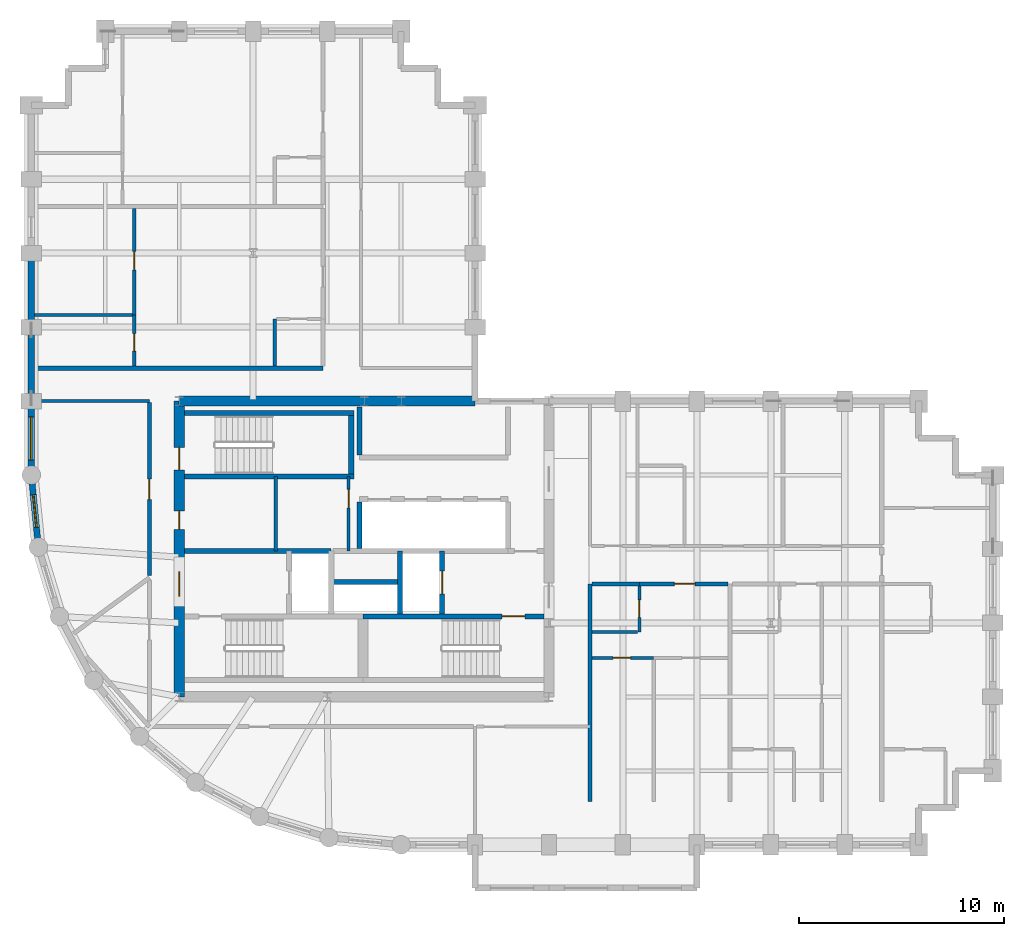
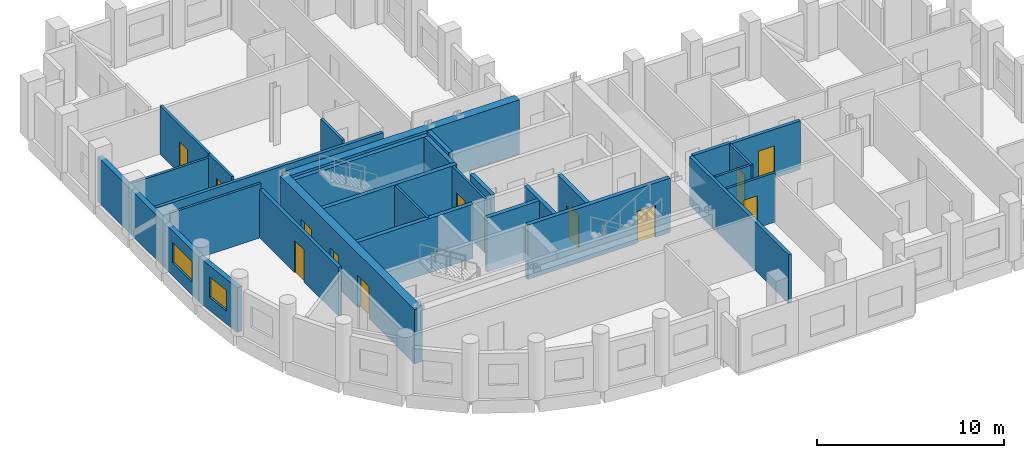
# One storey, part 4 of 9: 31 walls, 12 doors, 2 windows, 14 openings.
"""IFC4 building model written with IfcOpenShell, lengths in metres."""

from ifc_helpers import new_model, si_unit, direction, frame, frame_2d, origin, place, context, subcontext, project, spatial, rectangle, extrude, material, layer, layer_set, type_object, element, fill, save


model = new_model("IFC4")

# Units and contexts
model_context = context("Model", 3, precision=1e-05, world=origin(), true_north=direction((0.0, 1.0)))
body_context = subcontext(model_context, "Body", "Model", "MODEL_VIEW")
ifc_project = project(units=[si_unit("LENGTHUNIT", "METRE"), si_unit("AREAUNIT", "SQUARE_METRE"), si_unit("VOLUMEUNIT", "CUBIC_METRE"), si_unit("PLANEANGLEUNIT", "RADIAN"), si_unit("MASSUNIT", "GRAM", prefix="KILO")], contexts=[model_context])

# Site, building, storey
site_placement = place(None, origin())
site = spatial("IfcSite", under=ifc_project, at=site_placement, CompositionType="ELEMENT")
building_placement = place(site_placement, origin())
building = spatial("IfcBuilding", under=site, at=building_placement, Name="Solnavia Interchange Tower", CompositionType="ELEMENT")
storey_placement = place(building_placement, frame((0.0, 0.0, 139.0)))
storey = spatial("IfcBuildingStorey", under=building, at=storey_placement, Name="L34", CompositionType="ELEMENT", Elevation=139.0)

# Wall, opening, door
ifc_material_1 = material(Name="Gypsum Acoustic Twin-Stud & Mineral Wool", Category="gypsum")
ifc_layer_1 = layer(ifc_material_1, 0.199951171875)
ifc_layer_set_1 = layer_set([ifc_layer_1], Name="Gypsum Acoustic Twin-Stud & Mineral Wool")
wall_type_1 = type_object("IfcWallType", Name="Wall-ApartmentParty-200", PredefinedType="PARTITIONING", material=ifc_layer_set_1)
wall_1_placement = place(storey_placement, frame((12.949951171875, 16.7041015625, 0.0), z_axis=(0.0, 0.0, 1.0), x_axis=(0.0, 1.0, 0.0)))
wall_1 = element("IfcWall", 1, at=wall_1_placement, inside=storey, type_object=wall_type_1, Name="PTW-L34-11 Interior partition wall", PredefinedType="PARTITIONING", context=body_context, shape_type="SweptSolid", body=[
    extrude(rectangle(XDim=8.4169921875, YDim=0.199951171875, at=frame_2d((4.20849609375, 0.0))), origin(), (0.0, 0.0, 1.0), 3.179931640625),
])
opening_1_placement = place(wall_1_placement, frame((3.696044921875, 0.0, 0.0)))
opening_1 = element("IfcOpeningElement", 2, at=opening_1_placement, cuts=wall_1, Name="Opening DR-07", PredefinedType="OPENING", context=body_context, shape_type="SweptSolid", body=[
    extrude(rectangle(XDim=1.0, YDim=2.10009765625, at=frame_2d((0.5, 1.050048828125))), frame((0.0, 0.10986328125, 0.0), z_axis=(0.0, -1.0, 0.0), x_axis=(1.0, 0.0, 0.0)), (0.0, 0.0, 1.0), 0.219970703125),
])
ifc_material_2 = material(Name="Timber & Acoustic Glazed Office Door", Category="wood")
door_type_1 = type_object("IfcDoorType", Name="Door-Office-1000x2100", OperationType="SINGLE_SWING_RIGHT", PredefinedType="DOOR", material=ifc_material_2)
door_1_placement = place(opening_1_placement, origin())
door_1 = element("IfcDoor", 3, at=door_1_placement, inside=storey, type_object=door_type_1, Name="DR-L34-03 Interior room door", OperationType="SINGLE_SWING_LEFT", OverallHeight=2.10009765625, OverallWidth=1.0, PredefinedType="DOOR", context=body_context, shape_type="SweptSolid", body=[
    extrude(rectangle(XDim=1.0, YDim=2.10009765625, at=frame_2d((0.5, 1.050048828125))), frame((0.0, 0.02490234375, 0.0), z_axis=(0.0, -1.0, 0.0), x_axis=(1.0, 0.0, 0.0)), (0.0, 0.0, 1.0), 0.050048828125),
])
fill(opening_1, door_1)

# Walls
wall_2_placement = place(storey_placement, frame((34.39990234375, 5.699951171875, 0.0), z_axis=(0.0, 0.0, 1.0), x_axis=(0.0, 1.0, 0.0)))
element("IfcWall", 4, at=wall_2_placement, inside=storey, type_object=wall_type_1, Name="PTW-L34-15 Interior partition wall", PredefinedType="PARTITIONING", context=body_context, shape_type="SweptSolid", body=[
    extrude(rectangle(XDim=10.60009765625, YDim=0.199951171875, at=frame_2d((5.300048828125, 0.0))), origin(), (0.0, 0.0, 1.0), 3.169921875),
])
wall_3_placement = place(storey_placement, frame((34.50390625, 16.300048828125, 0.0), z_axis=(0.0, 0.0, 1.0), x_axis=(1.0, 0.0, 0.0)))
element("IfcWall", 5, at=wall_3_placement, inside=storey, type_object=wall_type_1, Name="PTW-L34-17 Interior partition wall", PredefinedType="PARTITIONING", context=body_context, shape_type="SweptSolid", body=[
    extrude(rectangle(XDim=2.296142578125, YDim=0.199951171875, at=frame_2d((1.14794921875, 0.0))), origin(), (0.0, 0.0, 1.0), 3.219970703125),
])

# Wall, opening, door
wall_4_placement = place(storey_placement, frame((36.800048828125, 16.300048828125, 0.0), z_axis=(0.0, 0.0, 1.0), x_axis=(1.0, 0.0, 0.0)))
wall_4 = element("IfcWall", 6, at=wall_4_placement, inside=storey, type_object=wall_type_1, Name="PTW-L34-20 Interior partition wall", PredefinedType="PARTITIONING", context=body_context, shape_type="SweptSolid", body=[
    extrude(rectangle(XDim=4.31591796875, YDim=0.199951171875, at=frame_2d((2.157958984375, 0.0))), origin(), (0.0, 0.0, 1.0), 3.169921875),
])
opening_2_placement = place(wall_4_placement, frame((1.7099609375, 0.0, 0.0)))
opening_2 = element("IfcOpeningElement", 7, at=opening_2_placement, cuts=wall_4, Name="Opening DR-06", PredefinedType="OPENING", context=body_context, shape_type="SweptSolid", body=[
    extrude(rectangle(XDim=1.0, YDim=2.10009765625, at=frame_2d((0.5, 1.050048828125))), frame((0.0, 0.10986328125, 0.0), z_axis=(0.0, -1.0, 0.0), x_axis=(1.0, 0.0, 0.0)), (0.0, 0.0, 1.0), 0.219970703125),
])
ifc_material_3 = material(Name="Engineered Timber Acoustic Fire Door", Category="wood")
door_type_2 = type_object("IfcDoorType", Name="Door-FlatEntry-1000x2100", OperationType="SINGLE_SWING_LEFT", PredefinedType="DOOR", material=ifc_material_3)
door_2_placement = place(opening_2_placement, origin())
door_2 = element("IfcDoor", 8, at=door_2_placement, inside=storey, type_object=door_type_2, Name="DR-L34-08 Interior room door", OperationType="SINGLE_SWING_LEFT", OverallHeight=2.10009765625, OverallWidth=1.0, PredefinedType="DOOR", context=body_context, shape_type="SweptSolid", body=[
    extrude(rectangle(XDim=1.0, YDim=2.10009765625, at=frame_2d((0.5, 1.050048828125))), frame((0.0, 0.02490234375, 0.0), z_axis=(0.0, -1.0, 0.0), x_axis=(1.0, 0.0, 0.0)), (0.0, 0.0, 1.0), 0.050048828125),
])
fill(opening_2, door_2)

# Walls
wall_5_placement = place(storey_placement, frame((7.35400390625, 26.800048828125, 0.0), z_axis=(0.0, 0.0, 1.0), x_axis=(1.0, 0.0, 0.0)))
element("IfcWall", 9, at=wall_5_placement, inside=storey, type_object=wall_type_1, Name="PTW-L34-44 Interior partition wall", PredefinedType="PARTITIONING", context=body_context, shape_type="SweptSolid", body=[
    extrude(rectangle(XDim=14.0458984375, YDim=0.199951171875, at=frame_2d((7.02294921875, 0.0))), origin(), (0.0, 0.0, 1.0), 2.929931640625),
])
ifc_material_4 = material(Name="Concrete C40/50", Category="concrete")
ifc_layer_2 = layer(ifc_material_4, 0.300048828125)
ifc_layer_set_2 = layer_set([ifc_layer_2], Name="Concrete C40/50")
wall_type_2 = type_object("IfcWallType", Name="Wall-ExtSpandrel-300", PredefinedType="STANDARD", material=ifc_layer_set_2)
wall_6_placement = place(storey_placement, frame((7.199951171875, 28.800048828125, 0.0), z_axis=(0.0, 0.0, 1.0), x_axis=(0.0, 1.0, 0.0)))
element("IfcWall", 10, at=wall_6_placement, inside=storey, type_object=wall_type_2, Name="EXW-L34-46 Exterior precast spandrel wall", PredefinedType="STANDARD", context=body_context, shape_type="SweptSolid", body=[
    extrude(rectangle(XDim=3.599853515625, YDim=0.300048828125, at=frame_2d((1.7998046875, 0.0))), origin(), (0.0, 0.0, 1.0), 2.929931640625),
])
wall_7_placement = place(storey_placement, frame((7.199951171875, 25.199951171875, 0.0), z_axis=(0.0, 0.0, 1.0), x_axis=(0.0, 1.0, 0.0)))
element("IfcWall", 11, at=wall_7_placement, inside=storey, type_object=wall_type_2, Name="EXW-L34-47 Exterior precast spandrel wall", PredefinedType="STANDARD", context=body_context, shape_type="SweptSolid", body=[
    extrude(rectangle(XDim=3.60009765625, YDim=0.300048828125, at=frame_2d((1.800048828125, 0.0))), origin(), (0.0, 0.0, 1.0), 2.929931640625),
])

# Wall, opening, window
wall_8_placement = place(storey_placement, frame((7.199951171875, 21.60009765625, 0.0), z_axis=(0.0, 0.0, 1.0), x_axis=(0.0, 1.0, 0.0)))
wall_8 = element("IfcWall", 12, at=wall_8_placement, inside=storey, type_object=wall_type_2, Name="EXW-L34-48 Exterior precast spandrel wall", PredefinedType="STANDARD", context=body_context, shape_type="SweptSolid", body=[
    extrude(rectangle(XDim=3.599853515625, YDim=0.300048828125, at=frame_2d((1.7998046875, 0.0))), origin(), (0.0, 0.0, 1.0), 2.929931640625),
])
opening_3_placement = place(wall_8_placement, frame((0.72509765625, 0.0, 0.85009765625)))
opening_3 = element("IfcOpeningElement", 13, at=opening_3_placement, cuts=wall_8, Name="Opening WIN-01", PredefinedType="OPENING", context=body_context, shape_type="SweptSolid", body=[
    extrude(rectangle(XDim=2.10009765625, YDim=1.35009765625, at=frame_2d((1.050048828125, 0.675048828125))), frame((0.0, 0.16015625, 0.0), z_axis=(0.0, -1.0, 0.0), x_axis=(1.0, 0.0, 0.0)), (0.0, 0.0, 1.0), 0.320068359375),
])
ifc_material_5 = material(Name="Thermal-Break Aluminium & Low-E Glass", Category="aluminium")
window_type_1 = type_object("IfcWindowType", Name="Window-Ribbon-2100x1350", PartitioningType="SINGLE_PANEL", PredefinedType="WINDOW", material=ifc_material_5)
window_1_placement = place(opening_3_placement, origin())
window_1 = element("IfcWindow", 14, at=window_1_placement, inside=storey, type_object=window_type_1, Name="WIN-L34-48 Facade ribbon window", OverallHeight=1.35009765625, OverallWidth=2.10009765625, PartitioningType="SINGLE_PANEL", PredefinedType="WINDOW", context=body_context, shape_type="SweptSolid", body=[
    extrude(rectangle(XDim=2.10009765625, YDim=1.35009765625, at=frame_2d((1.050048828125, 0.675048828125))), frame((0.0, 0.030029296875, 0.0), z_axis=(0.0, -1.0, 0.0), x_axis=(1.0, 0.0, 0.0)), (0.0, 0.0, 1.0), 0.06005859375),
])
fill(opening_3, window_1)

wall_9_placement = place(storey_placement, frame((7.5458984375, 18.087890625, 0.0), z_axis=(0.0, 0.0, 1.0), x_axis=(-0.09802417461, 0.995184033831, 0.0)))
wall_9 = element("IfcWall", 15, at=wall_9_placement, inside=storey, type_object=wall_type_2, Name="EXW-L34-49 Exterior precast spandrel wall", PredefinedType="STANDARD", context=body_context, shape_type="SweptSolid", body=[
    extrude(rectangle(XDim=3.529296875, YDim=0.300048828125, at=frame_2d((1.7646484375, 0.0))), origin(), (0.0, 0.0, 1.0), 2.929931640625),
])
opening_4_placement = place(wall_9_placement, frame((0.965087890625, 0.0, 0.85009765625)))
opening_4 = element("IfcOpeningElement", 16, at=opening_4_placement, cuts=wall_9, Name="Opening WIN-04", PredefinedType="OPENING", context=body_context, shape_type="SweptSolid", body=[
    extrude(rectangle(XDim=1.60009765625, YDim=1.35009765625, at=frame_2d((0.800048828125, 0.675048828125))), frame((0.0, 0.16015625, 0.0), z_axis=(0.0, -1.0, 0.0), x_axis=(1.0, 0.0, 0.0)), (0.0, 0.0, 1.0), 0.320068359375),
])
window_type_2 = type_object("IfcWindowType", Name="Window-Drum-1600x1350", PartitioningType="SINGLE_PANEL", PredefinedType="WINDOW", material=ifc_material_5)
window_2_placement = place(opening_4_placement, origin())
window_2 = element("IfcWindow", 17, at=window_2_placement, inside=storey, type_object=window_type_2, Name="WIN-L34-49 Facade ribbon window", OverallHeight=1.35009765625, OverallWidth=1.60009765625, PartitioningType="SINGLE_PANEL", PredefinedType="WINDOW", context=body_context, shape_type="SweptSolid", body=[
    extrude(rectangle(XDim=1.60009765625, YDim=1.35009765625, at=frame_2d((0.800048828125, 0.675048828125))), frame((0.0, 0.030029296875, 0.0), z_axis=(0.0, -1.0, 0.0), x_axis=(1.0, 0.0, 0.0)), (0.0, 0.0, 1.0), 0.06005859375),
])
fill(opening_4, window_2)

# Wall, opening, door
ifc_material_6 = material(Name="Gypsum Plasterboard & Steel Stud", Category="steel")
ifc_layer_3 = layer(ifc_material_6, 0.14990234375)
ifc_layer_set_3 = layer_set([ifc_layer_3], Name="Gypsum Plasterboard & Steel Stud")
wall_type_3 = type_object("IfcWallType", Name="Wall-Partition-150", PredefinedType="PARTITIONING", material=ifc_layer_set_3)
wall_10_placement = place(storey_placement, frame((22.64990234375, 17.89990234375, 0.0), z_axis=(0.0, 0.0, 1.0), x_axis=(0.0, 1.0, 0.0)))
wall_10 = element("IfcWall", 18, at=wall_10_placement, inside=storey, type_object=wall_type_3, Name="CSW-L34-E Core shaft wall", PredefinedType="PARTITIONING", context=body_context, shape_type="SweptSolid", body=[
    extrude(rectangle(XDim=3.625, YDim=0.14990234375, at=frame_2d((1.8125, 0.0))), origin(), (0.0, 0.0, 1.0), 3.534912109375),
])
opening_5_placement = place(wall_10_placement, frame((2.10009765625, 0.0, 0.0)))
opening_5 = element("IfcOpeningElement", 19, at=opening_5_placement, cuts=wall_10, Name="Opening DR-09", PredefinedType="OPENING", context=body_context, shape_type="SweptSolid", body=[
    extrude(rectangle(XDim=0.89990234375, YDim=2.10009765625, at=frame_2d((0.449951171875, 1.050048828125))), frame((0.0, 0.0849609375, 0.0), z_axis=(0.0, -1.0, 0.0), x_axis=(1.0, 0.0, 0.0)), (0.0, 0.0, 1.0), 0.169921875),
])
ifc_material_7 = material(Name="Engineered Oak Veneer Door", Category="wood")
door_type_3 = type_object("IfcDoorType", Name="Door-Internal-900x2100", OperationType="SINGLE_SWING_LEFT", PredefinedType="DOOR", material=ifc_material_7)
door_3_placement = place(opening_5_placement, origin())
door_3 = element("IfcDoor", 20, at=door_3_placement, inside=storey, type_object=door_type_3, Name="DR-L34-CS2 Core fire door", OperationType="SINGLE_SWING_LEFT", OverallHeight=2.10009765625, OverallWidth=0.89990234375, PredefinedType="DOOR", context=body_context, shape_type="SweptSolid", body=[
    extrude(rectangle(XDim=0.89990234375, YDim=2.10009765625, at=frame_2d((0.449951171875, 1.050048828125))), frame((0.0, 0.02490234375, 0.0), z_axis=(0.0, -1.0, 0.0), x_axis=(1.0, 0.0, 0.0)), (0.0, 0.0, 1.0), 0.050048828125),
])
fill(opening_5, door_3)

# Walls
wall_11_placement = place(storey_placement, frame((19.10009765625, 17.89990234375, 0.0), z_axis=(0.0, 0.0, 1.0), x_axis=(0.0, 1.0, 0.0)))
element("IfcWall", 21, at=wall_11_placement, inside=storey, type_object=wall_type_3, Name="CSW-L34-M1 Core shaft wall", PredefinedType="PARTITIONING", context=body_context, shape_type="SweptSolid", body=[
    extrude(rectangle(XDim=3.625, YDim=0.14990234375, at=frame_2d((1.8125, 0.0))), origin(), (0.0, 0.0, 1.0), 3.534912109375),
])
wall_12_placement = place(storey_placement, frame((7.35400390625, 25.199951171875, 0.0), z_axis=(0.0, 0.0, 1.0), x_axis=(1.0, 0.0, 0.0)))
element("IfcWall", 22, at=wall_12_placement, inside=storey, type_object=wall_type_3, Name="PTW-L34-07 Interior partition wall", PredefinedType="PARTITIONING", context=body_context, shape_type="SweptSolid", body=[
    extrude(rectangle(XDim=5.595947265625, YDim=0.14990234375, at=frame_2d((2.7978515625, 0.0))), origin(), (0.0, 0.0, 1.0), 3.534912109375),
])

# Wall, opening, door
wall_13_placement = place(storey_placement, frame((12.2099609375, 29.39990234375, 0.0), z_axis=(0.0, 0.0, 1.0), x_axis=(0.0, 1.0, 0.0)))
wall_13 = element("IfcWall", 23, at=wall_13_placement, inside=storey, type_object=wall_type_3, Name="PTW-L34-50 Interior partition wall", PredefinedType="PARTITIONING", context=body_context, shape_type="SweptSolid", body=[
    extrude(rectangle(XDim=5.166015625, YDim=0.14990234375, at=frame_2d((2.5830078125, 0.0))), origin(), (0.0, 0.0, 1.0), 3.179931640625),
])
opening_6_placement = place(wall_13_placement, frame((2.18505859375, 0.0, 0.0)))
opening_6 = element("IfcOpeningElement", 24, at=opening_6_placement, cuts=wall_13, Name="Opening DR-09", PredefinedType="OPENING", context=body_context, shape_type="SweptSolid", body=[
    extrude(rectangle(XDim=0.89990234375, YDim=2.10009765625, at=frame_2d((0.449951171875, 1.050048828125))), frame((0.0, 0.0849609375, 0.0), z_axis=(0.0, -1.0, 0.0), x_axis=(1.0, 0.0, 0.0)), (0.0, 0.0, 1.0), 0.169921875),
])
door_4_placement = place(opening_6_placement, origin())
door_4 = element("IfcDoor", 25, at=door_4_placement, inside=storey, type_object=door_type_3, Name="DR-L34-23 Interior room door", OperationType="SINGLE_SWING_LEFT", OverallHeight=2.10009765625, OverallWidth=0.89990234375, PredefinedType="DOOR", context=body_context, shape_type="SweptSolid", body=[
    extrude(rectangle(XDim=0.89990234375, YDim=2.10009765625, at=frame_2d((0.449951171875, 1.050048828125))), frame((0.0, 0.02490234375, 0.0), z_axis=(0.0, -1.0, 0.0), x_axis=(1.0, 0.0, 0.0)), (0.0, 0.0, 1.0), 0.050048828125),
])
fill(opening_6, door_4)

ifc_layer_4 = layer(ifc_material_4, 0.25)
ifc_layer_set_4 = layer_set([ifc_layer_4], Name="Concrete C40/50")
wall_type_4 = type_object("IfcWallType", Name="Wall-ShaftCore-250", PredefinedType="SHEAR", material=ifc_layer_set_4)
wall_14_placement = place(storey_placement, frame((23.35009765625, 14.715087890625, 0.0), z_axis=(0.0, 0.0, 1.0), x_axis=(1.0, 0.0, 0.0)))
wall_14 = element("IfcWall", 26, at=wall_14_placement, inside=storey, type_object=wall_type_4, Name="SHW-L34-ST2N Core shear wall", PredefinedType="SHEAR", context=body_context, shape_type="SweptSolid", body=[
    extrude(rectangle(XDim=8.7998046875, YDim=0.25, at=frame_2d((4.39990234375, 0.0))), origin(), (0.0, 0.0, 1.0), 3.550048828125),
])
opening_7_placement = place(wall_14_placement, frame((6.77490234375, 0.0, 0.0)))
opening_7 = element("IfcOpeningElement", 27, at=opening_7_placement, cuts=wall_14, Name="Opening DR-01", PredefinedType="OPENING", context=body_context, shape_type="SweptSolid", body=[
    extrude(rectangle(XDim=1.10009765625, YDim=2.10009765625, at=frame_2d((0.550048828125, 1.050048828125))), frame((0.0, 0.135009765625, 0.0), z_axis=(0.0, -1.0, 0.0), x_axis=(1.0, 0.0, 0.0)), (0.0, 0.0, 1.0), 0.27001953125),
])
ifc_material_8 = material(Name="Steel Fire-Rated Leaf & Frame", Category="steel")
door_type_4 = type_object("IfcDoorType", Name="Door-StairFire-1100x2100", OperationType="SINGLE_SWING_LEFT", PredefinedType="DOOR", material=ifc_material_8)
door_5_placement = place(opening_7_placement, origin())
door_5 = element("IfcDoor", 28, at=door_5_placement, inside=storey, type_object=door_type_4, Name="DR-L34-ST2 Core fire door", OperationType="SINGLE_SWING_LEFT", OverallHeight=2.10009765625, OverallWidth=1.10009765625, PredefinedType="DOOR", context=body_context, shape_type="SweptSolid", body=[
    extrude(rectangle(XDim=1.10009765625, YDim=2.10009765625, at=frame_2d((0.550048828125, 1.050048828125))), frame((0.0, 0.02490234375, 0.0), z_axis=(0.0, -1.0, 0.0), x_axis=(1.0, 0.0, 0.0)), (0.0, 0.0, 1.0), 0.050048828125),
])
fill(opening_7, door_5)

# Walls
for number, where, z_axis, x_axis, name in (
    (29, (14.64990234375, 21.52490234375, 0.0), (0.0, 0.0, 1.0), (1.0, 0.0, 0.0), "SHW-L34-ST3S Core shear wall"),
    (30, (14.64990234375, 24.614990234375, 0.0), (0.0, 0.0, 1.0), (1.0, 0.0, 0.0), "SHW-L34-ST3N Core shear wall"),
):
    element("IfcWall", number, at=place(storey_placement, frame(where, z_axis=z_axis, x_axis=x_axis)), inside=storey, type_object=wall_type_4, Name=name, PredefinedType="SHEAR", context=body_context, shape_type="SweptSolid", body=[
        extrude(rectangle(XDim=8.25, YDim=0.25, at=frame_2d((4.125, 0.0))), origin(), (0.0, 0.0, 1.0), 3.550048828125),
    ])
wall_15_placement = place(storey_placement, frame((22.77490234375, 21.64990234375, 0.0), z_axis=(0.0, 0.0, 1.0), x_axis=(0.0, 1.0, 0.0)))
element("IfcWall", 31, at=wall_15_placement, inside=storey, type_object=wall_type_4, Name="SHW-L34-ST3E Core shear wall", PredefinedType="SHEAR", context=body_context, shape_type="SweptSolid", body=[
    extrude(rectangle(XDim=2.840087890625, YDim=0.25, at=frame_2d((1.419921875, 0.0))), origin(), (0.0, 0.0, 1.0), 3.550048828125),
])
ifc_layer_5 = layer(ifc_material_4, 0.25)
ifc_layer_set_5 = layer_set([ifc_layer_5], Name="Concrete C40/50")
wall_type_5 = type_object("IfcWallType", Name="Wall-ShaftPart-250", PredefinedType="PARTITIONING", material=ifc_layer_set_5)
wall_16_placement = place(storey_placement, frame((14.64990234375, 17.89990234375, 0.0), z_axis=(0.0, 0.0, 1.0), x_axis=(1.0, 0.0, 0.0)))
element("IfcWall", 32, at=wall_16_placement, inside=storey, type_object=wall_type_5, Name="SHW-L34-FFLW-N Core shaft wall", PredefinedType="PARTITIONING", context=body_context, shape_type="SweptSolid", body=[
    extrude(rectangle(XDim=7.150146484375, YDim=0.25, at=frame_2d((3.5751953125, 0.0))), origin(), (0.0, 0.0, 1.0), 3.534912109375),
])
wall_17_placement = place(storey_placement, frame((25.14990234375, 14.840087890625, 0.0), z_axis=(0.0, 0.0, 1.0), x_axis=(0.0, 1.0, 0.0)))
element("IfcWall", 33, at=wall_17_placement, inside=storey, type_object=wall_type_5, Name="SHW-L34-FFL2-W Core shaft wall", PredefinedType="PARTITIONING", context=body_context, shape_type="SweptSolid", body=[
    extrude(rectangle(XDim=3.059814453125, YDim=0.25, at=frame_2d((1.52978515625, 0.0))), origin(), (0.0, 0.0, 1.0), 3.534912109375),
])

# Wall, opening, door
wall_18_placement = place(storey_placement, frame((27.199951171875, 14.840087890625, 0.0), z_axis=(0.0, 0.0, 1.0), x_axis=(0.0, 1.0, 0.0)))
wall_18 = element("IfcWall", 34, at=wall_18_placement, inside=storey, type_object=wall_type_5, Name="SHW-L34-FFL2-E Core shaft wall", PredefinedType="PARTITIONING", context=body_context, shape_type="SweptSolid", body=[
    extrude(rectangle(XDim=3.059814453125, YDim=0.25, at=frame_2d((1.52978515625, 0.0))), origin(), (0.0, 0.0, 1.0), 3.534912109375),
])
opening_8_placement = place(wall_18_placement, frame((0.97998046875, 0.0, 0.0)))
opening_8 = element("IfcOpeningElement", 35, at=opening_8_placement, cuts=wall_18, Name="Opening LD-01", PredefinedType="OPENING", context=body_context, shape_type="SweptSolid", body=[
    extrude(rectangle(XDim=1.10009765625, YDim=2.10009765625, at=frame_2d((0.550048828125, 1.050048828125))), frame((0.0, 0.135009765625, 0.0), z_axis=(0.0, -1.0, 0.0), x_axis=(1.0, 0.0, 0.0)), (0.0, 0.0, 1.0), 0.27001953125),
])
ifc_material_9 = material(Name="Brushed Stainless Steel Sliding Door", Category="steel")
door_type_5 = type_object("IfcDoorType", Name="Door-LiftLanding-1100x2100", OperationType="SLIDING_TO_LEFT", PredefinedType="DOOR", material=ifc_material_9)
door_6_placement = place(opening_8_placement, origin())
door_6 = element("IfcDoor", 36, at=door_6_placement, inside=storey, type_object=door_type_5, Name="LD-L34-FFL2 Lift landing sliding door", OperationType="SLIDING_TO_LEFT", OverallHeight=2.10009765625, OverallWidth=1.10009765625, PredefinedType="DOOR", context=body_context, shape_type="SweptSolid", body=[
    extrude(rectangle(XDim=1.10009765625, YDim=2.10009765625, at=frame_2d((0.550048828125, 1.050048828125))), frame((0.0, 0.02490234375, 0.0), z_axis=(0.0, -1.0, 0.0), x_axis=(1.0, 0.0, 0.0)), (0.0, 0.0, 1.0), 0.050048828125),
])
fill(opening_8, door_6)

# Walls
wall_19_placement = place(storey_placement, frame((21.800048828125, 16.39990234375, 0.0), z_axis=(0.0, 0.0, 1.0), x_axis=(1.0, 0.0, 0.0)))
element("IfcWall", 37, at=wall_19_placement, inside=storey, type_object=wall_type_5, Name="SHW-L34-MEP-N Core shaft wall", PredefinedType="PARTITIONING", context=body_context, shape_type="SweptSolid", body=[
    extrude(rectangle(XDim=3.349853515625, YDim=0.25, at=frame_2d((1.6748046875, 0.0))), origin(), (0.0, 0.0, 1.0), 3.534912109375),
])
wall_20_placement = place(storey_placement, frame((23.179931640625, 18.02490234375, 0.0), z_axis=(0.0, 0.0, 1.0), x_axis=(0.0, 1.0, 0.0)))
element("IfcWall", 38, at=wall_20_placement, inside=storey, type_object=wall_type_5, Name="SHW-L34-B2W Core shaft wall", PredefinedType="PARTITIONING", context=body_context, shape_type="SweptSolid", body=[
    extrude(rectangle(XDim=2.27001953125, YDim=0.25, at=frame_2d((1.135009765625, 0.0))), origin(), (0.0, 0.0, 1.0), 3.534912109375),
])
wall_21_placement = place(storey_placement, frame((23.179931640625, 22.5849609375, 0.0), z_axis=(0.0, 0.0, 1.0), x_axis=(0.0, 1.0, 0.0)))
element("IfcWall", 39, at=wall_21_placement, inside=storey, type_object=wall_type_5, Name="SHW-L34-B3W Core shaft wall", PredefinedType="PARTITIONING", context=body_context, shape_type="SweptSolid", body=[
    extrude(rectangle(XDim=2.31494140625, YDim=0.25, at=frame_2d((1.157470703125, 0.0))), origin(), (0.0, 0.0, 1.0), 3.534912109375),
])
ifc_material_10 = material(Name="Concrete C60/75", Category="concrete")
ifc_layer_6 = layer(ifc_material_10, 0.5)
ifc_layer_set_6 = layer_set([ifc_layer_6], Name="Concrete C60/75")
wall_type_6 = type_object("IfcWallType", Name="Wall-ShearCore-500", PredefinedType="SHEAR", material=ifc_layer_set_6)
wall_22_placement = place(storey_placement, frame((14.39990234375, 25.199951171875, 0.0), z_axis=(0.0, 0.0, 1.0), x_axis=(1.0, 0.0, 0.0)))
element("IfcWall", 40, at=wall_22_placement, inside=storey, type_object=wall_type_6, Name="CRW-L34-N Core shear wall", PredefinedType="SHEAR", context=body_context, shape_type="SweptSolid", body=[
    extrude(rectangle(XDim=14.400146484375, YDim=0.5, at=frame_2d((7.2001953125, 0.0))), origin(), (0.0, 0.0, 1.0), 3.550048828125),
])

# Wall, openings, doors
wall_23_placement = place(storey_placement, frame((14.39990234375, 10.800048828125, 0.0), z_axis=(0.0, 0.0, 1.0), x_axis=(0.0, 1.0, 0.0)))
wall_23 = element("IfcWall", 41, at=wall_23_placement, inside=storey, type_object=wall_type_6, Name="CRW-L34-W Core shear wall", PredefinedType="SHEAR", context=body_context, shape_type="SweptSolid", body=[
    extrude(rectangle(XDim=14.39990234375, YDim=0.5, at=frame_2d((7.199951171875, 0.0))), origin(), (0.0, 0.0, 1.0), 3.550048828125),
])
opening_9_placement = place(wall_23_placement, frame((11.050048828125, 0.0, 0.0)))
opening_9 = element("IfcOpeningElement", 42, at=opening_9_placement, cuts=wall_23, Name="Opening DR-01", PredefinedType="OPENING", context=body_context, shape_type="SweptSolid", body=[
    extrude(rectangle(XDim=1.10009765625, YDim=2.10009765625, at=frame_2d((0.550048828125, 1.050048828125))), frame((0.0, 0.260009765625, 0.0), z_axis=(0.0, -1.0, 0.0), x_axis=(1.0, 0.0, 0.0)), (0.0, 0.0, 1.0), 0.52001953125),
])
opening_10_placement = place(wall_23_placement, frame((4.89990234375, 0.0, 0.0)))
opening_10 = element("IfcOpeningElement", 43, at=opening_10_placement, cuts=wall_23, Name="Opening DR-02", PredefinedType="OPENING", context=body_context, shape_type="SweptSolid", body=[
    extrude(rectangle(XDim=1.199951171875, YDim=2.10009765625, at=frame_2d((0.60009765625, 1.050048828125))), frame((0.0, 0.260009765625, 0.0), z_axis=(0.0, -1.0, 0.0), x_axis=(1.0, 0.0, 0.0)), (0.0, 0.0, 1.0), 0.52001953125),
])
opening_11_placement = place(wall_23_placement, frame((8.14990234375, 0.0, 0.0)))
opening_11 = element("IfcOpeningElement", 44, at=opening_11_placement, cuts=wall_23, Name="Opening DR-09", PredefinedType="OPENING", context=body_context, shape_type="SweptSolid", body=[
    extrude(rectangle(XDim=0.89990234375, YDim=2.10009765625, at=frame_2d((0.449951171875, 1.050048828125))), frame((0.0, 0.260009765625, 0.0), z_axis=(0.0, -1.0, 0.0), x_axis=(1.0, 0.0, 0.0)), (0.0, 0.0, 1.0), 0.52001953125),
])
door_7_placement = place(opening_11_placement, origin())
door_7 = element("IfcDoor", 45, at=door_7_placement, inside=storey, type_object=door_type_3, Name="DR-L34-CS1 Core fire door", OperationType="SINGLE_SWING_RIGHT", OverallHeight=2.10009765625, OverallWidth=0.89990234375, PredefinedType="DOOR", context=body_context, shape_type="SweptSolid", body=[
    extrude(rectangle(XDim=0.89990234375, YDim=2.10009765625, at=frame_2d((0.449951171875, 1.050048828125))), frame((0.0, 0.02490234375, 0.0), z_axis=(0.0, -1.0, 0.0), x_axis=(1.0, 0.0, 0.0)), (0.0, 0.0, 1.0), 0.050048828125),
])
fill(opening_11, door_7)
ifc_material_11 = material(Name="Steel Fire-Rated Vision-Panel Door", Category="steel")
door_type_6 = type_object("IfcDoorType", Name="Door-LobbyFire-1200x2100", OperationType="SINGLE_SWING_RIGHT", PredefinedType="DOOR", material=ifc_material_11)
door_8_placement = place(opening_10_placement, origin())
door_8 = element("IfcDoor", 46, at=door_8_placement, inside=storey, type_object=door_type_6, Name="DR-L34-FFL1W Core fire door", OperationType="SINGLE_SWING_RIGHT", OverallHeight=2.10009765625, OverallWidth=1.199951171875, PredefinedType="DOOR", context=body_context, shape_type="SweptSolid", body=[
    extrude(rectangle(XDim=1.199951171875, YDim=2.10009765625, at=frame_2d((0.60009765625, 1.050048828125))), frame((0.0, 0.02490234375, 0.0), z_axis=(0.0, -1.0, 0.0), x_axis=(1.0, 0.0, 0.0)), (0.0, 0.0, 1.0), 0.050048828125),
])
fill(opening_10, door_8)
door_9_placement = place(opening_9_placement, origin())
door_9 = element("IfcDoor", 47, at=door_9_placement, inside=storey, type_object=door_type_4, Name="DR-L34-ST3 Core fire door", OperationType="SINGLE_SWING_RIGHT", OverallHeight=2.10009765625, OverallWidth=1.10009765625, PredefinedType="DOOR", context=body_context, shape_type="SweptSolid", body=[
    extrude(rectangle(XDim=1.10009765625, YDim=2.10009765625, at=frame_2d((0.550048828125, 1.050048828125))), frame((0.0, 0.02490234375, 0.0), z_axis=(0.0, -1.0, 0.0), x_axis=(1.0, 0.0, 0.0)), (0.0, 0.0, 1.0), 0.050048828125),
])
fill(opening_9, door_9)

# Wall, opening, door
ifc_material_12 = material(Name="Moisture-Resistant Gypsum & Steel Stud", Category="steel")
ifc_layer_7 = layer(ifc_material_12, 0.14990234375)
ifc_layer_set_7 = layer_set([ifc_layer_7], Name="Moisture-Resistant Gypsum & Steel Stud")
wall_type_7 = type_object("IfcWallType", Name="Wall-WetRoom-150", PredefinedType="PARTITIONING", material=ifc_layer_set_7)
wall_24_placement = place(storey_placement, frame((36.800048828125, 13.949951171875, 0.0), z_axis=(0.0, 0.0, 1.0), x_axis=(0.0, 1.0, 0.0)))
wall_24 = element("IfcWall", 48, at=wall_24_placement, inside=storey, type_object=wall_type_7, Name="PTW-L34-18 Interior partition wall", PredefinedType="PARTITIONING", context=body_context, shape_type="SweptSolid", body=[
    extrude(rectangle(XDim=2.24609375, YDim=0.14990234375, at=frame_2d((1.123046875, 0.0))), origin(), (0.0, 0.0, 1.0), 3.169921875),
])
opening_12_placement = place(wall_24_placement, frame((0.719970703125, 0.0, 0.0)))
opening_12 = element("IfcOpeningElement", 49, at=opening_12_placement, cuts=wall_24, Name="Opening DR-10", PredefinedType="OPENING", context=body_context, shape_type="SweptSolid", body=[
    extrude(rectangle(XDim=0.85009765625, YDim=2.10009765625, at=frame_2d((0.425048828125, 1.050048828125))), frame((0.0, 0.0849609375, 0.0), z_axis=(0.0, -1.0, 0.0), x_axis=(1.0, 0.0, 0.0)), (0.0, 0.0, 1.0), 0.169921875),
])
ifc_material_13 = material(Name="Moisture-Resistant Timber Door", Category="wood")
door_type_7 = type_object("IfcDoorType", Name="Door-Bathroom-850x2100", OperationType="SINGLE_SWING_RIGHT", PredefinedType="DOOR", material=ifc_material_13)
door_10_placement = place(opening_12_placement, origin())
door_10 = element("IfcDoor", 50, at=door_10_placement, inside=storey, type_object=door_type_7, Name="DR-L34-07 Interior room door", OperationType="SINGLE_SWING_RIGHT", OverallHeight=2.10009765625, OverallWidth=0.85009765625, PredefinedType="DOOR", context=body_context, shape_type="SweptSolid", body=[
    extrude(rectangle(XDim=0.85009765625, YDim=2.10009765625, at=frame_2d((0.425048828125, 1.050048828125))), frame((0.0, 0.02490234375, 0.0), z_axis=(0.0, -1.0, 0.0), x_axis=(1.0, 0.0, 0.0)), (0.0, 0.0, 1.0), 0.050048828125),
])
fill(opening_12, door_10)

# Wall
wall_25_placement = place(storey_placement, frame((34.50390625, 13.949951171875, 0.0), z_axis=(0.0, 0.0, 1.0), x_axis=(1.0, 0.0, 0.0)))
element("IfcWall", 51, at=wall_25_placement, inside=storey, type_object=wall_type_7, Name="PTW-L34-19 Interior partition wall", PredefinedType="PARTITIONING", context=body_context, shape_type="SweptSolid", body=[
    extrude(rectangle(XDim=2.217041015625, YDim=0.14990234375, at=frame_2d((1.1083984375, 0.0))), origin(), (0.0, 0.0, 1.0), 3.219970703125),
])

# Wall, opening, door
wall_26_placement = place(storey_placement, frame((34.50390625, 12.699951171875, 0.0), z_axis=(0.0, 0.0, 1.0), x_axis=(1.0, 0.0, 0.0)))
wall_26 = element("IfcWall", 52, at=wall_26_placement, inside=storey, type_object=wall_type_7, Name="PTW-L34-22 Interior partition wall", PredefinedType="PARTITIONING", context=body_context, shape_type="SweptSolid", body=[
    extrude(rectangle(XDim=2.99609375, YDim=0.14990234375, at=frame_2d((1.498046875, 0.0))), origin(), (0.0, 0.0, 1.0), 3.219970703125),
])
opening_13_placement = place(wall_26_placement, frame((1.02099609375, 0.0, 0.0)))
opening_13 = element("IfcOpeningElement", 53, at=opening_13_placement, cuts=wall_26, Name="Opening DR-10", PredefinedType="OPENING", context=body_context, shape_type="SweptSolid", body=[
    extrude(rectangle(XDim=0.85009765625, YDim=2.10009765625, at=frame_2d((0.425048828125, 1.050048828125))), frame((0.0, 0.0849609375, 0.0), z_axis=(0.0, -1.0, 0.0), x_axis=(1.0, 0.0, 0.0)), (0.0, 0.0, 1.0), 0.169921875),
])
door_11_placement = place(opening_13_placement, origin())
door_11 = element("IfcDoor", 54, at=door_11_placement, inside=storey, type_object=door_type_7, Name="DR-L34-10 Interior room door", OperationType="SINGLE_SWING_LEFT", OverallHeight=2.10009765625, OverallWidth=0.85009765625, PredefinedType="DOOR", context=body_context, shape_type="SweptSolid", body=[
    extrude(rectangle(XDim=0.85009765625, YDim=2.10009765625, at=frame_2d((0.425048828125, 1.050048828125))), frame((0.0, 0.02490234375, 0.0), z_axis=(0.0, -1.0, 0.0), x_axis=(1.0, 0.0, 0.0)), (0.0, 0.0, 1.0), 0.050048828125),
])
fill(opening_13, door_11)

# Wall
wall_27_placement = place(storey_placement, frame((19.050048828125, 26.904052734375, 0.0), z_axis=(0.0, 0.0, 1.0), x_axis=(0.0, 1.0, 0.0)))
element("IfcWall", 55, at=wall_27_placement, inside=storey, type_object=wall_type_7, Name="PTW-L34-47 Interior partition wall", PredefinedType="PARTITIONING", context=body_context, shape_type="SweptSolid", body=[
    extrude(rectangle(XDim=2.2958984375, YDim=0.14990234375, at=frame_2d((1.14794921875, 0.0))), origin(), (0.0, 0.0, 1.0), 3.169921875),
])

# Wall, opening, door
wall_28_placement = place(storey_placement, frame((12.2099609375, 26.904052734375, 0.0), z_axis=(0.0, 0.0, 1.0), x_axis=(0.0, 1.0, 0.0)))
wall_28 = element("IfcWall", 56, at=wall_28_placement, inside=storey, type_object=wall_type_7, Name="PTW-L34-51 Interior partition wall", PredefinedType="PARTITIONING", context=body_context, shape_type="SweptSolid", body=[
    extrude(rectangle(XDim=2.495849609375, YDim=0.14990234375, at=frame_2d((1.248046875, 0.0))), origin(), (0.0, 0.0, 1.0), 3.169921875),
])
opening_14_placement = place(wall_28_placement, frame((0.73095703125, 0.0, 0.0)))
opening_14 = element("IfcOpeningElement", 57, at=opening_14_placement, cuts=wall_28, Name="Opening DR-10", PredefinedType="OPENING", context=body_context, shape_type="SweptSolid", body=[
    extrude(rectangle(XDim=0.85009765625, YDim=2.10009765625, at=frame_2d((0.425048828125, 1.050048828125))), frame((0.0, 0.0849609375, 0.0), z_axis=(0.0, -1.0, 0.0), x_axis=(1.0, 0.0, 0.0)), (0.0, 0.0, 1.0), 0.169921875),
])
door_12_placement = place(opening_14_placement, origin())
door_12 = element("IfcDoor", 58, at=door_12_placement, inside=storey, type_object=door_type_7, Name="DR-L34-24 Interior room door", OperationType="SINGLE_SWING_RIGHT", OverallHeight=2.10009765625, OverallWidth=0.85009765625, PredefinedType="DOOR", context=body_context, shape_type="SweptSolid", body=[
    extrude(rectangle(XDim=0.85009765625, YDim=2.10009765625, at=frame_2d((0.425048828125, 1.050048828125))), frame((0.0, 0.02490234375, 0.0), z_axis=(0.0, -1.0, 0.0), x_axis=(1.0, 0.0, 0.0)), (0.0, 0.0, 1.0), 0.050048828125),
])
fill(opening_14, door_12)

# Wall
wall_29_placement = place(storey_placement, frame((7.35400390625, 29.39990234375, 0.0), z_axis=(0.0, 0.0, 1.0), x_axis=(1.0, 0.0, 0.0)))
element("IfcWall", 59, at=wall_29_placement, inside=storey, type_object=wall_type_7, Name="PTW-L34-52 Interior partition wall", PredefinedType="PARTITIONING", context=body_context, shape_type="SweptSolid", body=[
    extrude(rectangle(XDim=4.777099609375, YDim=0.14990234375, at=frame_2d((2.388671875, 0.0))), origin(), (0.0, 0.0, 1.0), 2.929931640625),
])

save(model, "model.ifc")
